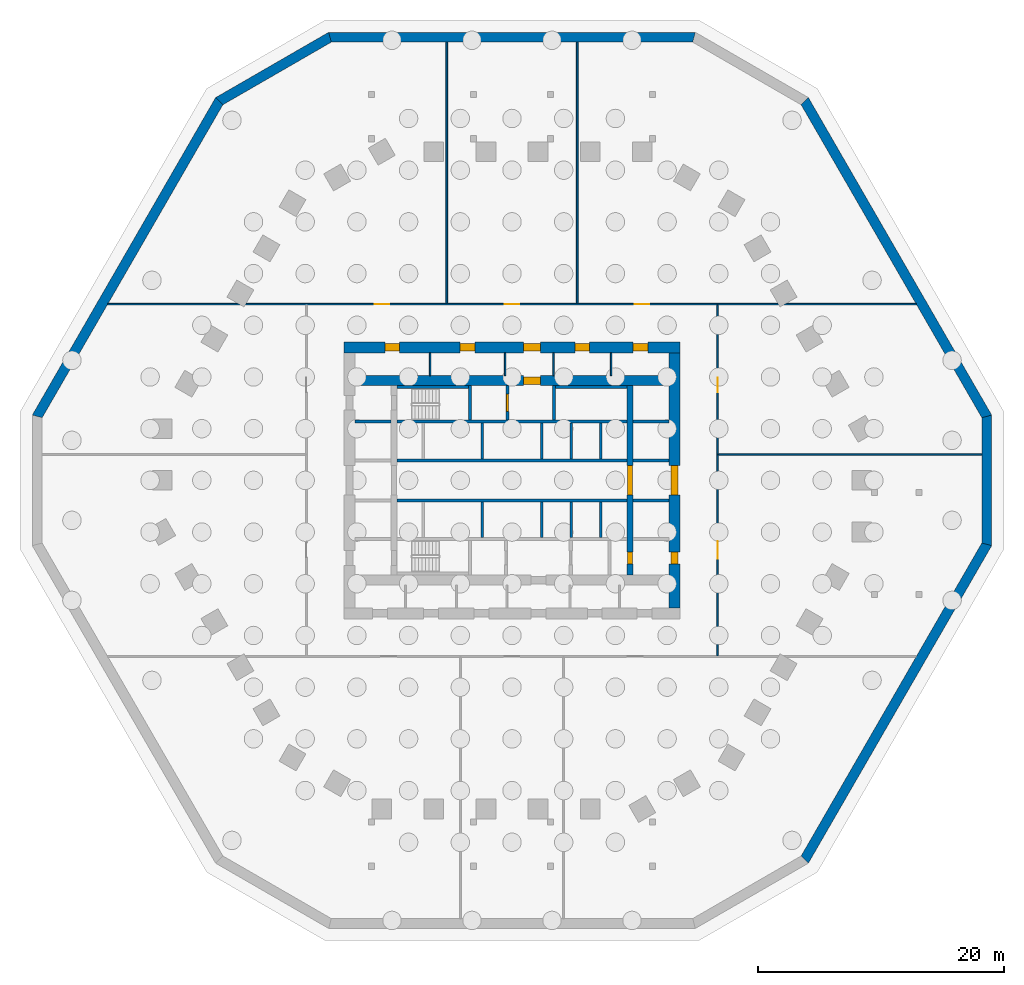
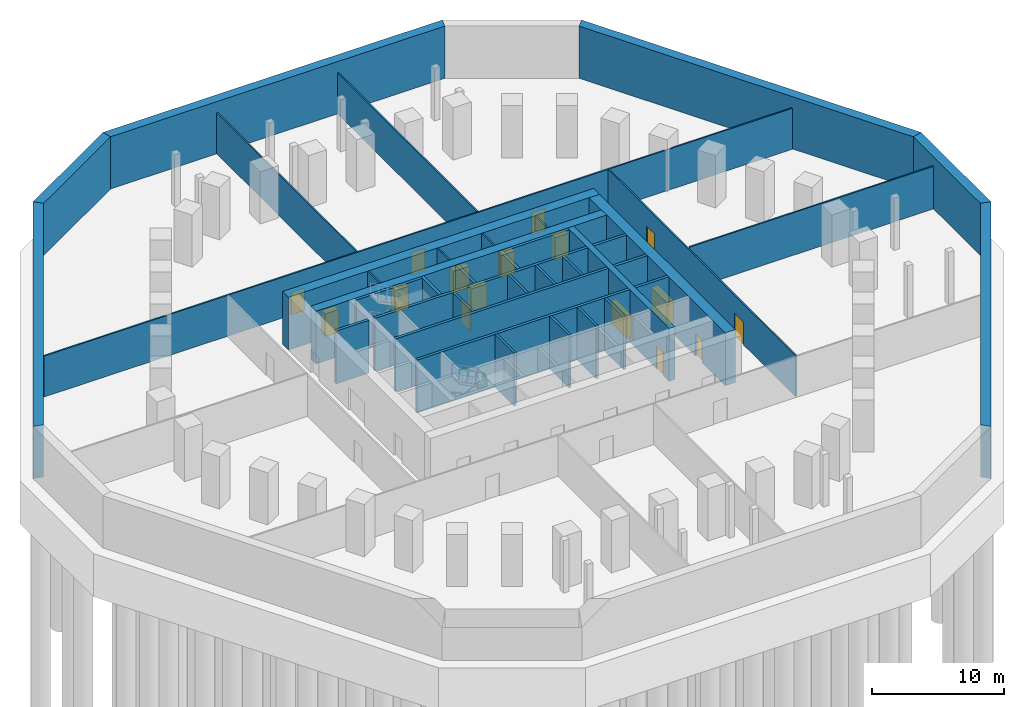
# One storey, part 4 of 6: 39 walls, 16 doors, 16 openings.
"""IFC4 building model written with IfcOpenShell, lengths in metres."""

from ifc_helpers import new_model, si_unit, direction, frame, frame_2d, origin, place, context, subcontext, project, spatial, polyline, rectangle, outline, extrude, material, layer, layer_set, type_object, element, fill, save


model = new_model("IFC4")

# Units and contexts
model_context = context("Model", 3, precision=1e-05, world=origin(), true_north=direction((0.0, 1.0)))
body_context = subcontext(model_context, "Body", "Model", "MODEL_VIEW")
ifc_project = project(units=[si_unit("LENGTHUNIT", "METRE"), si_unit("AREAUNIT", "SQUARE_METRE"), si_unit("VOLUMEUNIT", "CUBIC_METRE"), si_unit("PLANEANGLEUNIT", "RADIAN"), si_unit("MASSUNIT", "GRAM", prefix="KILO")], contexts=[model_context])

# Site, building, storey
site_placement = place(None, origin())
site = spatial("IfcSite", under=ifc_project, at=site_placement, CompositionType="ELEMENT")
building_placement = place(site_placement, origin())
building = spatial("IfcBuilding", under=site, at=building_placement, Name="Frailejon Research Tower", CompositionType="ELEMENT")
storey_placement = place(building_placement, frame((0.0, 0.0, -5.199951171875)))
storey = spatial("IfcBuildingStorey", under=building, at=storey_placement, Name="B1", CompositionType="ELEMENT", Elevation=-5.199951171875)

# Walls
ifc_material_1 = material(Name="Concrete C50/60", Category="concrete")
ifc_layer_1 = layer(ifc_material_1, 0.800048828125)
ifc_layer_set_1 = layer_set([ifc_layer_1], Name="Basement wall 800")
wall_type_1 = type_object("IfcWallType", Name="Basement wall 800", PredefinedType="SOLIDWALL", material=ifc_layer_set_1)
wall_1_placement = place(storey_placement, origin())
element("IfcWall", 1, at=wall_1_placement, inside=storey, type_object=wall_type_1, Name="Basement retaining wall", PredefinedType="SOLIDWALL", context=body_context, shape_type="SweptSolid", body=[
    extrude(outline(polyline([(38.96923828125, -5.30322265625), (38.96923828125, 5.30322265625), (38.169189453125, 5.089111328125), (38.169189453125, -5.089111328125), (38.96923828125, -5.30322265625)])), origin(), (0.0, 0.0, 1.0), 4.849853515625),
])
wall_2_placement = place(storey_placement, origin())
element("IfcWall", 2, at=wall_2_placement, inside=storey, type_object=wall_type_1, Name="Basement retaining wall", PredefinedType="SOLIDWALL", context=body_context, shape_type="SweptSolid", body=[
    extrude(outline(polyline([(38.96923828125, 5.30322265625), (24.077392578125, 31.0966796875), (23.49169921875, 30.510986328125), (38.169189453125, 5.089111328125), (38.96923828125, 5.30322265625)])), origin(), (0.0, 0.0, 1.0), 4.849853515625),
])
wall_3_placement = place(storey_placement, origin())
element("IfcWall", 3, at=wall_3_placement, inside=storey, type_object=wall_type_1, Name="Basement retaining wall", PredefinedType="SOLIDWALL", context=body_context, shape_type="SweptSolid", body=[
    extrude(outline(polyline([(14.891845703125, 36.39990234375), (-14.891845703125, 36.39990234375), (-14.677490234375, 35.60009765625), (14.677490234375, 35.60009765625), (14.891845703125, 36.39990234375)])), origin(), (0.0, 0.0, 1.0), 4.849853515625),
])
wall_4_placement = place(storey_placement, origin())
element("IfcWall", 4, at=wall_4_placement, inside=storey, type_object=wall_type_1, Name="Basement retaining wall", PredefinedType="SOLIDWALL", context=body_context, shape_type="SweptSolid", body=[
    extrude(outline(polyline([(-14.891845703125, 36.39990234375), (-24.077392578125, 31.0966796875), (-23.49169921875, 30.510986328125), (-14.677490234375, 35.60009765625), (-14.891845703125, 36.39990234375)])), origin(), (0.0, 0.0, 1.0), 4.849853515625),
])
wall_5_placement = place(storey_placement, origin())
element("IfcWall", 5, at=wall_5_placement, inside=storey, type_object=wall_type_1, Name="Basement retaining wall", PredefinedType="SOLIDWALL", context=body_context, shape_type="SweptSolid", body=[
    extrude(outline(polyline([(-24.077392578125, 31.0966796875), (-38.96923828125, 5.30322265625), (-38.169189453125, 5.089111328125), (-23.49169921875, 30.510986328125), (-24.077392578125, 31.0966796875)])), origin(), (0.0, 0.0, 1.0), 4.849853515625),
])
wall_6_placement = place(storey_placement, origin())
element("IfcWall", 6, at=wall_6_placement, inside=storey, type_object=wall_type_1, Name="Basement retaining wall", PredefinedType="SOLIDWALL", context=body_context, shape_type="SweptSolid", body=[
    extrude(outline(polyline([(24.077392578125, -31.0966796875), (38.96923828125, -5.30322265625), (38.169189453125, -5.089111328125), (23.49169921875, -30.510986328125), (24.077392578125, -31.0966796875)])), origin(), (0.0, 0.0, 1.0), 4.849853515625),
])
ifc_material_2 = material(Name="Plasterboard on steel studs", Category="steel")
ifc_layer_2 = layer(ifc_material_2, 0.125)
ifc_layer_set_2 = layer_set([ifc_layer_2], Name="Core partition 125")
wall_type_2 = type_object("IfcWallType", Name="Core partition 125", PredefinedType="PARTITIONING", material=ifc_layer_set_2)
for number, where, z_axis, x_axis, name in (
    (7, (-6.65625, 8.5, 0.0), (0.0, 0.0, 1.0), (0.0, 1.0, 0.0), "Core partition"),
    (8, (-0.5625, 8.5, 0.0), (0.0, 0.0, 1.0), (0.0, 1.0, 0.0), "Core partition"),
    (9, (3.362548828125, 8.5, 0.0), (0.0, 0.0, 1.0), (0.0, 1.0, 0.0), "Core partition"),
    (10, (8.05615234375, 8.5, 0.0), (0.0, 0.0, 1.0), (0.0, 1.0, 0.0), "Core partition"),
):
    element("IfcWall", number, at=place(storey_placement, frame(where, z_axis=z_axis, x_axis=x_axis)), inside=storey, type_object=wall_type_2, Name=name, PredefinedType="PARTITIONING", context=body_context, shape_type="SweptSolid", body=[
        extrude(rectangle(XDim=1.85009765625, YDim=0.125, at=frame_2d((0.925048828125, 0.0))), origin(), (0.0, 0.0, 1.0), 4.89990234375),
    ])

# Wall, openings, doors
wall_7_placement = place(storey_placement, frame((-32.843994140625, 14.3125, 0.0), z_axis=(0.0, 0.0, 1.0), x_axis=(1.0, 0.0, 0.0)))
wall_7 = element("IfcWall", 11, at=wall_7_placement, inside=storey, type_object=wall_type_2, Name="Core partition", PredefinedType="PARTITIONING", context=body_context, shape_type="SweptSolid", body=[
    extrude(rectangle(XDim=65.68798828125, YDim=0.125, at=frame_2d((32.843994140625, 0.0))), origin(), (0.0, 0.0, 1.0), 3.800048828125),
])
opening_1_placement = place(wall_7_placement, frame((21.687744140625, 0.0, 0.0)))
opening_1 = element("IfcOpeningElement", 12, at=opening_1_placement, cuts=wall_7, Name="Opening D6", PredefinedType="OPENING", context=body_context, shape_type="SweptSolid", body=[
    extrude(rectangle(XDim=1.199951171875, YDim=2.10009765625, at=frame_2d((0.60009765625, 1.050048828125))), frame((0.0, 0.072509765625, 0.0), z_axis=(0.0, -1.0, 0.0), x_axis=(1.0, 0.0, 0.0)), (0.0, 0.0, 1.0), 0.14501953125),
])
opening_2_placement = place(wall_7_placement, frame((32.243896484375, 0.0, 0.0)))
opening_2 = element("IfcOpeningElement", 13, at=opening_2_placement, cuts=wall_7, Name="Opening D6", PredefinedType="OPENING", context=body_context, shape_type="SweptSolid", body=[
    extrude(rectangle(XDim=1.199951171875, YDim=2.10009765625, at=frame_2d((0.60009765625, 1.050048828125))), frame((0.0, 0.072509765625, 0.0), z_axis=(0.0, -1.0, 0.0), x_axis=(1.0, 0.0, 0.0)), (0.0, 0.0, 1.0), 0.14501953125),
])
opening_3_placement = place(wall_7_placement, frame((42.80029296875, 0.0, 0.0)))
opening_3 = element("IfcOpeningElement", 14, at=opening_3_placement, cuts=wall_7, Name="Opening D6", PredefinedType="OPENING", context=body_context, shape_type="SweptSolid", body=[
    extrude(rectangle(XDim=1.199951171875, YDim=2.10009765625, at=frame_2d((0.60009765625, 1.050048828125))), frame((0.0, 0.072509765625, 0.0), z_axis=(0.0, -1.0, 0.0), x_axis=(1.0, 0.0, 0.0)), (0.0, 0.0, 1.0), 0.14501953125),
])
ifc_material_3 = material(Name="Steel", Category="steel")
door_type_1 = type_object("IfcDoorType", Name="Plant door", OperationType="SINGLE_SWING_LEFT", PredefinedType="DOOR", material=ifc_material_3)
door_1_placement = place(opening_1_placement, origin())
door_1 = element("IfcDoor", 15, at=door_1_placement, inside=storey, type_object=door_type_1, Name="Room door", OperationType="SINGLE_SWING_LEFT", OverallHeight=2.10009765625, OverallWidth=1.199951171875, PredefinedType="DOOR", context=body_context, shape_type="SweptSolid", body=[
    extrude(rectangle(XDim=1.199951171875, YDim=2.10009765625, at=frame_2d((0.60009765625, 1.050048828125))), frame((0.0, 0.012451171875, 0.0), z_axis=(0.0, -1.0, 0.0), x_axis=(1.0, 0.0, 0.0)), (0.0, 0.0, 1.0), 0.02490234375),
])
fill(opening_1, door_1)
door_2_placement = place(opening_2_placement, origin())
door_2 = element("IfcDoor", 16, at=door_2_placement, inside=storey, type_object=door_type_1, Name="Room door", OperationType="SINGLE_SWING_RIGHT", OverallHeight=2.10009765625, OverallWidth=1.199951171875, PredefinedType="DOOR", context=body_context, shape_type="SweptSolid", body=[
    extrude(rectangle(XDim=1.199951171875, YDim=2.10009765625, at=frame_2d((0.60009765625, 1.050048828125))), frame((0.0, 0.012451171875, 0.0), z_axis=(0.0, -1.0, 0.0), x_axis=(1.0, 0.0, 0.0)), (0.0, 0.0, 1.0), 0.02490234375),
])
fill(opening_2, door_2)
door_3_placement = place(opening_3_placement, origin())
door_3 = element("IfcDoor", 17, at=door_3_placement, inside=storey, type_object=door_type_1, Name="Room door", OperationType="SINGLE_SWING_LEFT", OverallHeight=2.10009765625, OverallWidth=1.199951171875, PredefinedType="DOOR", context=body_context, shape_type="SweptSolid", body=[
    extrude(rectangle(XDim=1.199951171875, YDim=2.10009765625, at=frame_2d((0.60009765625, 1.050048828125))), frame((0.0, 0.012451171875, 0.0), z_axis=(0.0, -1.0, 0.0), x_axis=(1.0, 0.0, 0.0)), (0.0, 0.0, 1.0), 0.02490234375),
])
fill(opening_3, door_3)

wall_8_placement = place(storey_placement, frame((16.71240234375, -14.25, 0.0), z_axis=(0.0, 0.0, 1.0), x_axis=(0.0, 1.0, 0.0)))
wall_8 = element("IfcWall", 18, at=wall_8_placement, inside=storey, type_object=wall_type_2, Name="Core partition", PredefinedType="PARTITIONING", context=body_context, shape_type="SweptSolid", body=[
    extrude(rectangle(XDim=28.5, YDim=0.125, at=frame_2d((14.25, 0.0))), origin(), (0.0, 0.0, 1.0), 3.800048828125),
])
opening_4_placement = place(wall_8_placement, frame((7.893798828125, 0.0, 0.0)))
opening_4 = element("IfcOpeningElement", 19, at=opening_4_placement, cuts=wall_8, Name="Opening D9", PredefinedType="OPENING", context=body_context, shape_type="SweptSolid", body=[
    extrude(rectangle(XDim=1.39990234375, YDim=2.10009765625, at=frame_2d((0.699951171875, 1.050048828125))), frame((0.0, 0.072509765625, 0.0), z_axis=(0.0, -1.0, 0.0), x_axis=(1.0, 0.0, 0.0)), (0.0, 0.0, 1.0), 0.14501953125),
])
opening_5_placement = place(wall_8_placement, frame((21.40625, 0.0, 0.0)))
opening_5 = element("IfcOpeningElement", 20, at=opening_5_placement, cuts=wall_8, Name="Opening D6", PredefinedType="OPENING", context=body_context, shape_type="SweptSolid", body=[
    extrude(rectangle(XDim=1.199951171875, YDim=2.10009765625, at=frame_2d((0.60009765625, 1.050048828125))), frame((0.0, 0.072509765625, 0.0), z_axis=(0.0, -1.0, 0.0), x_axis=(1.0, 0.0, 0.0)), (0.0, 0.0, 1.0), 0.14501953125),
])
ifc_material_4 = material(Name="Steel", Category="steel")
door_type_2 = type_object("IfcDoorType", Name="Goods lobby door", OperationType="DOUBLE_DOOR_SINGLE_SWING", PredefinedType="DOOR", material=ifc_material_4)
door_4_placement = place(opening_4_placement, origin())
door_4 = element("IfcDoor", 21, at=door_4_placement, inside=storey, type_object=door_type_2, Name="Room door", OperationType="DOUBLE_DOOR_SINGLE_SWING", OverallHeight=2.10009765625, OverallWidth=1.39990234375, PredefinedType="DOOR", context=body_context, shape_type="SweptSolid", body=[
    extrude(rectangle(XDim=1.39990234375, YDim=2.10009765625, at=frame_2d((0.699951171875, 1.050048828125))), frame((0.0, 0.012451171875, 0.0), z_axis=(0.0, -1.0, 0.0), x_axis=(1.0, 0.0, 0.0)), (0.0, 0.0, 1.0), 0.02490234375),
])
fill(opening_4, door_4)
door_5_placement = place(opening_5_placement, origin())
door_5 = element("IfcDoor", 22, at=door_5_placement, inside=storey, type_object=door_type_1, Name="Room door", OperationType="SINGLE_SWING_RIGHT", OverallHeight=2.10009765625, OverallWidth=1.199951171875, PredefinedType="DOOR", context=body_context, shape_type="SweptSolid", body=[
    extrude(rectangle(XDim=1.199951171875, YDim=2.10009765625, at=frame_2d((0.60009765625, 1.050048828125))), frame((0.0, 0.012451171875, 0.0), z_axis=(0.0, -1.0, 0.0), x_axis=(1.0, 0.0, 0.0)), (0.0, 0.0, 1.0), 0.02490234375),
])
fill(opening_5, door_5)

# Walls
for number, where, z_axis, x_axis, name in (
    (23, (-5.300048828125, 14.375, 0.0), (0.0, 0.0, 1.0), (0.0, 1.0, 0.0), "Core partition"),
    (24, (5.300048828125, 14.375, 0.0), (0.0, 0.0, 1.0), (0.0, 1.0, 0.0), "Core partition"),
):
    element("IfcWall", number, at=place(storey_placement, frame(where, z_axis=z_axis, x_axis=x_axis)), inside=storey, type_object=wall_type_2, Name=name, PredefinedType="PARTITIONING", context=body_context, shape_type="SweptSolid", body=[
        extrude(rectangle(XDim=21.22509765625, YDim=0.125, at=frame_2d((10.612548828125, 0.0))), origin(), (0.0, 0.0, 1.0), 3.800048828125),
    ])
wall_9_placement = place(storey_placement, frame((16.77490234375, 2.10009765625, 0.0), z_axis=(0.0, 0.0, 1.0), x_axis=(1.0, 0.0, 0.0)))
element("IfcWall", 25, at=wall_9_placement, inside=storey, type_object=wall_type_2, Name="Core partition", PredefinedType="PARTITIONING", context=body_context, shape_type="SweptSolid", body=[
    extrude(rectangle(XDim=21.394287109375, YDim=0.125, at=frame_2d((10.697265625, 0.0))), origin(), (0.0, 0.0, 1.0), 3.949951171875),
])

# Wall, openings, doors
ifc_material_5 = material(Name="Concrete C70/85", Category="concrete")
ifc_layer_3 = layer(ifc_material_5, 0.5)
ifc_layer_set_3 = layer_set([ifc_layer_3], Name="Core shear wall 500 C70/85")
wall_type_3 = type_object("IfcWallType", Name="Core shear wall 500 C70/85", PredefinedType="SHEAR", material=ifc_layer_set_3)
wall_10_placement = place(storey_placement, frame((9.60009765625, -7.699951171875, 0.0), z_axis=(0.0, 0.0, 1.0), x_axis=(0.0, 1.0, 0.0)))
wall_10 = element("IfcWall", 26, at=wall_10_placement, inside=storey, type_object=wall_type_3, Name="Core shear wall", PredefinedType="SHEAR", context=body_context, shape_type="SweptSolid", body=[
    extrude(rectangle(XDim=15.39990234375, YDim=0.5, at=frame_2d((7.699951171875, 0.0))), origin(), (0.0, 0.0, 1.0), 4.89990234375),
])
opening_6_placement = place(wall_10_placement, frame((6.5, 0.0, 0.0)))
opening_6 = element("IfcOpeningElement", 27, at=opening_6_placement, cuts=wall_10, Name="Opening D2", PredefinedType="OPENING", context=body_context, shape_type="SweptSolid", body=[
    extrude(rectangle(XDim=2.39990234375, YDim=2.10009765625, at=frame_2d((1.199951171875, 1.050048828125))), frame((0.0, 0.260009765625, 0.0), z_axis=(0.0, -1.0, 0.0), x_axis=(1.0, 0.0, 0.0)), (0.0, 0.0, 1.0), 0.52001953125),
])
opening_7_placement = place(wall_10_placement, frame((0.89990234375, 0.0, 0.0)))
opening_7 = element("IfcOpeningElement", 28, at=opening_7_placement, cuts=wall_10, Name="Opening D4", PredefinedType="OPENING", context=body_context, shape_type="SweptSolid", body=[
    extrude(rectangle(XDim=1.0, YDim=2.10009765625, at=frame_2d((0.5, 1.050048828125))), frame((0.0, 0.260009765625, 0.0), z_axis=(0.0, -1.0, 0.0), x_axis=(1.0, 0.0, 0.0)), (0.0, 0.0, 1.0), 0.52001953125),
])
ifc_material_6 = material(Name="Steel", Category="steel")
door_type_3 = type_object("IfcDoorType", Name="Lobby double door", OperationType="DOUBLE_DOOR_SINGLE_SWING", PredefinedType="DOOR", material=ifc_material_6)
door_6_placement = place(opening_6_placement, origin())
door_6 = element("IfcDoor", 29, at=door_6_placement, inside=storey, type_object=door_type_3, Name="Lobby door", OperationType="DOUBLE_DOOR_SINGLE_SWING", OverallHeight=2.10009765625, OverallWidth=2.39990234375, PredefinedType="DOOR", context=body_context, shape_type="SweptSolid", body=[
    extrude(rectangle(XDim=2.39990234375, YDim=2.10009765625, at=frame_2d((1.199951171875, 1.050048828125))), frame((0.0, 0.199951171875, 0.0), z_axis=(0.0, -1.0, 0.0), x_axis=(1.0, 0.0, 0.0)), (0.0, 0.0, 1.0), 0.39990234375),
])
fill(opening_6, door_6)
ifc_material_7 = material(Name="Steel", Category="steel")
door_type_4 = type_object("IfcDoorType", Name="Service door", OperationType="SINGLE_SWING_LEFT", PredefinedType="DOOR", material=ifc_material_7)
door_7_placement = place(opening_7_placement, origin())
door_7 = element("IfcDoor", 30, at=door_7_placement, inside=storey, type_object=door_type_4, Name="Riser door", OperationType="SINGLE_SWING_RIGHT", OverallHeight=2.10009765625, OverallWidth=1.0, PredefinedType="DOOR", context=body_context, shape_type="SweptSolid", body=[
    extrude(rectangle(XDim=1.0, YDim=2.10009765625, at=frame_2d((0.5, 1.050048828125))), frame((0.0, 0.199951171875, 0.0), z_axis=(0.0, -1.0, 0.0), x_axis=(1.0, 0.0, 0.0)), (0.0, 0.0, 1.0), 0.39990234375),
])
fill(opening_7, door_7)

# Wall, opening, door
ifc_material_8 = material(Name="Concrete C70/85", Category="concrete")
ifc_layer_4 = layer(ifc_material_8, 0.800048828125)
ifc_layer_set_4 = layer_set([ifc_layer_4], Name="Core shear wall 800 C70/85")
wall_type_4 = type_object("IfcWallType", Name="Core shear wall 800 C70/85", PredefinedType="SHEAR", material=ifc_layer_set_4)
wall_11_placement = place(storey_placement, frame((-12.75, 8.10009765625, 0.0), z_axis=(0.0, 0.0, 1.0), x_axis=(1.0, 0.0, 0.0)))
wall_11 = element("IfcWall", 31, at=wall_11_placement, inside=storey, type_object=wall_type_4, Name="Core shear wall", PredefinedType="SHEAR", context=body_context, shape_type="SweptSolid", body=[
    extrude(rectangle(XDim=25.5, YDim=0.800048828125, at=frame_2d((12.75, 0.0))), origin(), (0.0, 0.0, 1.0), 4.89990234375),
])
opening_8_placement = place(wall_11_placement, frame((13.675048828125, 0.0, 0.0)))
opening_8 = element("IfcOpeningElement", 32, at=opening_8_placement, cuts=wall_11, Name="Opening D9", PredefinedType="OPENING", context=body_context, shape_type="SweptSolid", body=[
    extrude(rectangle(XDim=1.39990234375, YDim=2.10009765625, at=frame_2d((0.699951171875, 1.050048828125))), frame((0.0, 0.409912109375, 0.0), z_axis=(0.0, -1.0, 0.0), x_axis=(1.0, 0.0, 0.0)), (0.0, 0.0, 1.0), 0.820068359375),
])
door_8_placement = place(opening_8_placement, origin())
door_8 = element("IfcDoor", 33, at=door_8_placement, inside=storey, type_object=door_type_2, Name="Goods lobby door", OperationType="DOUBLE_DOOR_SINGLE_SWING", OverallHeight=2.10009765625, OverallWidth=1.39990234375, PredefinedType="DOOR", context=body_context, shape_type="SweptSolid", body=[
    extrude(rectangle(XDim=1.39990234375, YDim=2.10009765625, at=frame_2d((0.699951171875, 1.050048828125))), frame((0.0, 0.300048828125, 0.0), z_axis=(0.0, -1.0, 0.0), x_axis=(1.0, 0.0, 0.0)), (0.0, 0.0, 1.0), 0.60009765625),
])
fill(opening_8, door_8)

# Wall, openings, doors
ifc_material_9 = material(Name="Concrete C70/85", Category="concrete")
ifc_layer_5 = layer(ifc_material_9, 0.89990234375)
ifc_layer_set_5 = layer_set([ifc_layer_5], Name="Core shear wall 900 C70/85")
wall_type_5 = type_object("IfcWallType", Name="Core shear wall 900 C70/85", PredefinedType="SHEAR", material=ifc_layer_set_5)
wall_12_placement = place(storey_placement, frame((-13.64990234375, 10.800048828125, 0.0), z_axis=(0.0, 0.0, 1.0), x_axis=(1.0, 0.0, 0.0)))
wall_12 = element("IfcWall", 34, at=wall_12_placement, inside=storey, type_object=wall_type_5, Name="Core shear wall", PredefinedType="SHEAR", context=body_context, shape_type="SweptSolid", body=[
    extrude(rectangle(XDim=27.2998046875, YDim=0.89990234375, at=frame_2d((13.64990234375, 0.0))), origin(), (0.0, 0.0, 1.0), 4.89990234375),
])
opening_9_placement = place(wall_12_placement, frame((3.315673828125, 0.0, 0.0)))
opening_9 = element("IfcOpeningElement", 35, at=opening_9_placement, cuts=wall_12, Name="Opening D6", PredefinedType="OPENING", context=body_context, shape_type="SweptSolid", body=[
    extrude(rectangle(XDim=1.199951171875, YDim=2.10009765625, at=frame_2d((0.60009765625, 1.050048828125))), frame((0.0, 0.4599609375, 0.0), z_axis=(0.0, -1.0, 0.0), x_axis=(1.0, 0.0, 0.0)), (0.0, 0.0, 1.0), 0.919921875),
])
opening_10_placement = place(wall_12_placement, frame((9.440673828125, 0.0, 0.0)))
opening_10 = element("IfcOpeningElement", 36, at=opening_10_placement, cuts=wall_12, Name="Opening D6", PredefinedType="OPENING", context=body_context, shape_type="SweptSolid", body=[
    extrude(rectangle(XDim=1.199951171875, YDim=2.10009765625, at=frame_2d((0.60009765625, 1.050048828125))), frame((0.0, 0.4599609375, 0.0), z_axis=(0.0, -1.0, 0.0), x_axis=(1.0, 0.0, 0.0)), (0.0, 0.0, 1.0), 0.919921875),
])
opening_11_placement = place(wall_12_placement, frame((18.759521484375, 0.0, 0.0)))
opening_11 = element("IfcOpeningElement", 37, at=opening_11_placement, cuts=wall_12, Name="Opening D6", PredefinedType="OPENING", context=body_context, shape_type="SweptSolid", body=[
    extrude(rectangle(XDim=1.199951171875, YDim=2.10009765625, at=frame_2d((0.60009765625, 1.050048828125))), frame((0.0, 0.4599609375, 0.0), z_axis=(0.0, -1.0, 0.0), x_axis=(1.0, 0.0, 0.0)), (0.0, 0.0, 1.0), 0.919921875),
])
opening_12_placement = place(wall_12_placement, frame((23.484375, 0.0, 0.0)))
opening_12 = element("IfcOpeningElement", 38, at=opening_12_placement, cuts=wall_12, Name="Opening D6", PredefinedType="OPENING", context=body_context, shape_type="SweptSolid", body=[
    extrude(rectangle(XDim=1.199951171875, YDim=2.10009765625, at=frame_2d((0.60009765625, 1.050048828125))), frame((0.0, 0.4599609375, 0.0), z_axis=(0.0, -1.0, 0.0), x_axis=(1.0, 0.0, 0.0)), (0.0, 0.0, 1.0), 0.919921875),
])
opening_13_placement = place(wall_12_placement, frame((14.574951171875, 0.0, 0.0)))
opening_13 = element("IfcOpeningElement", 39, at=opening_13_placement, cuts=wall_12, Name="Opening D9", PredefinedType="OPENING", context=body_context, shape_type="SweptSolid", body=[
    extrude(rectangle(XDim=1.39990234375, YDim=2.10009765625, at=frame_2d((0.699951171875, 1.050048828125))), frame((0.0, 0.4599609375, 0.0), z_axis=(0.0, -1.0, 0.0), x_axis=(1.0, 0.0, 0.0)), (0.0, 0.0, 1.0), 0.919921875),
])
door_9_placement = place(opening_13_placement, origin())
door_9 = element("IfcDoor", 40, at=door_9_placement, inside=storey, type_object=door_type_2, Name="Passage door", OperationType="DOUBLE_DOOR_SINGLE_SWING", OverallHeight=2.10009765625, OverallWidth=1.39990234375, PredefinedType="DOOR", context=body_context, shape_type="SweptSolid", body=[
    extrude(rectangle(XDim=1.39990234375, YDim=2.10009765625, at=frame_2d((0.699951171875, 1.050048828125))), frame((0.0, 0.300048828125, 0.0), z_axis=(0.0, -1.0, 0.0), x_axis=(1.0, 0.0, 0.0)), (0.0, 0.0, 1.0), 0.60009765625),
])
fill(opening_13, door_9)
door_10_placement = place(opening_9_placement, origin())
door_10 = element("IfcDoor", 41, at=door_10_placement, inside=storey, type_object=door_type_1, Name="Room door", OperationType="SINGLE_SWING_RIGHT", OverallHeight=2.10009765625, OverallWidth=1.199951171875, PredefinedType="DOOR", context=body_context, shape_type="SweptSolid", body=[
    extrude(rectangle(XDim=1.199951171875, YDim=2.10009765625, at=frame_2d((0.60009765625, 1.050048828125))), frame((0.0, 0.300048828125, 0.0), z_axis=(0.0, -1.0, 0.0), x_axis=(1.0, 0.0, 0.0)), (0.0, 0.0, 1.0), 0.60009765625),
])
fill(opening_9, door_10)
door_11_placement = place(opening_10_placement, origin())
door_11 = element("IfcDoor", 42, at=door_11_placement, inside=storey, type_object=door_type_1, Name="Room door", OperationType="SINGLE_SWING_LEFT", OverallHeight=2.10009765625, OverallWidth=1.199951171875, PredefinedType="DOOR", context=body_context, shape_type="SweptSolid", body=[
    extrude(rectangle(XDim=1.199951171875, YDim=2.10009765625, at=frame_2d((0.60009765625, 1.050048828125))), frame((0.0, 0.300048828125, 0.0), z_axis=(0.0, -1.0, 0.0), x_axis=(1.0, 0.0, 0.0)), (0.0, 0.0, 1.0), 0.60009765625),
])
fill(opening_10, door_11)
door_12_placement = place(opening_11_placement, origin())
door_12 = element("IfcDoor", 43, at=door_12_placement, inside=storey, type_object=door_type_1, Name="Room door", OperationType="SINGLE_SWING_RIGHT", OverallHeight=2.10009765625, OverallWidth=1.199951171875, PredefinedType="DOOR", context=body_context, shape_type="SweptSolid", body=[
    extrude(rectangle(XDim=1.199951171875, YDim=2.10009765625, at=frame_2d((0.60009765625, 1.050048828125))), frame((0.0, 0.300048828125, 0.0), z_axis=(0.0, -1.0, 0.0), x_axis=(1.0, 0.0, 0.0)), (0.0, 0.0, 1.0), 0.60009765625),
])
fill(opening_11, door_12)
door_13_placement = place(opening_12_placement, origin())
door_13 = element("IfcDoor", 44, at=door_13_placement, inside=storey, type_object=door_type_1, Name="Room door", OperationType="SINGLE_SWING_LEFT", OverallHeight=2.10009765625, OverallWidth=1.199951171875, PredefinedType="DOOR", context=body_context, shape_type="SweptSolid", body=[
    extrude(rectangle(XDim=1.199951171875, YDim=2.10009765625, at=frame_2d((0.60009765625, 1.050048828125))), frame((0.0, 0.300048828125, 0.0), z_axis=(0.0, -1.0, 0.0), x_axis=(1.0, 0.0, 0.0)), (0.0, 0.0, 1.0), 0.60009765625),
])
fill(opening_12, door_13)

wall_13_placement = place(storey_placement, frame((13.199951171875, -10.35009765625, 0.0), z_axis=(0.0, 0.0, 1.0), x_axis=(0.0, 1.0, 0.0)))
wall_13 = element("IfcWall", 45, at=wall_13_placement, inside=storey, type_object=wall_type_5, Name="Core shear wall", PredefinedType="SHEAR", context=body_context, shape_type="SweptSolid", body=[
    extrude(rectangle(XDim=20.7001953125, YDim=0.89990234375, at=frame_2d((10.35009765625, 0.0))), origin(), (0.0, 0.0, 1.0), 4.89990234375),
])
opening_14_placement = place(wall_13_placement, frame((9.14990234375, 0.0, 0.0)))
opening_14 = element("IfcOpeningElement", 46, at=opening_14_placement, cuts=wall_13, Name="Opening D2", PredefinedType="OPENING", context=body_context, shape_type="SweptSolid", body=[
    extrude(rectangle(XDim=2.39990234375, YDim=2.10009765625, at=frame_2d((1.199951171875, 1.050048828125))), frame((0.0, 0.4599609375, 0.0), z_axis=(0.0, -1.0, 0.0), x_axis=(1.0, 0.0, 0.0)), (0.0, 0.0, 1.0), 0.919921875),
])
opening_15_placement = place(wall_13_placement, frame((3.550048828125, 0.0, 0.0)))
opening_15 = element("IfcOpeningElement", 47, at=opening_15_placement, cuts=wall_13, Name="Opening D4", PredefinedType="OPENING", context=body_context, shape_type="SweptSolid", body=[
    extrude(rectangle(XDim=1.0, YDim=2.10009765625, at=frame_2d((0.5, 1.050048828125))), frame((0.0, 0.4599609375, 0.0), z_axis=(0.0, -1.0, 0.0), x_axis=(1.0, 0.0, 0.0)), (0.0, 0.0, 1.0), 0.919921875),
])
door_14_placement = place(opening_14_placement, origin())
door_14 = element("IfcDoor", 48, at=door_14_placement, inside=storey, type_object=door_type_3, Name="Lobby door", OperationType="DOUBLE_DOOR_SINGLE_SWING", OverallHeight=2.10009765625, OverallWidth=2.39990234375, PredefinedType="DOOR", context=body_context, shape_type="SweptSolid", body=[
    extrude(rectangle(XDim=2.39990234375, YDim=2.10009765625, at=frame_2d((1.199951171875, 1.050048828125))), frame((0.0, 0.300048828125, 0.0), z_axis=(0.0, -1.0, 0.0), x_axis=(1.0, 0.0, 0.0)), (0.0, 0.0, 1.0), 0.60009765625),
])
fill(opening_14, door_14)
door_15_placement = place(opening_15_placement, origin())
door_15 = element("IfcDoor", 49, at=door_15_placement, inside=storey, type_object=door_type_4, Name="Store door", OperationType="SINGLE_SWING_LEFT", OverallHeight=2.10009765625, OverallWidth=1.0, PredefinedType="DOOR", context=body_context, shape_type="SweptSolid", body=[
    extrude(rectangle(XDim=1.0, YDim=2.10009765625, at=frame_2d((0.5, 1.050048828125))), frame((0.0, 0.300048828125, 0.0), z_axis=(0.0, -1.0, 0.0), x_axis=(1.0, 0.0, 0.0)), (0.0, 0.0, 1.0), 0.60009765625),
])
fill(opening_15, door_15)

# Walls
ifc_material_10 = material(Name="Concrete C70/85", Category="concrete")
ifc_layer_6 = layer(ifc_material_10, 0.199951171875)
ifc_layer_set_6 = layer_set([ifc_layer_6], Name="Shaft wall 200 C70/85")
wall_type_6 = type_object("IfcWallType", Name="Shaft wall 200 C70/85", PredefinedType="SOLIDWALL", material=ifc_layer_set_6)
for number, where, z_axis, x_axis, name in (
    (50, (-2.39990234375, 1.75, 0.0), (0.0, 0.0, 1.0), (0.0, 1.0, 0.0), "Shaft wall"),
    (51, (2.39990234375, 1.75, 0.0), (0.0, 0.0, 1.0), (0.0, 1.0, 0.0), "Shaft wall"),
    (52, (4.800048828125, 1.75, 0.0), (0.0, 0.0, 1.0), (0.0, 1.0, 0.0), "Shaft wall"),
    (53, (7.199951171875, 1.75, 0.0), (0.0, 0.0, 1.0), (0.0, 1.0, 0.0), "Shaft wall"),
    (54, (-2.39990234375, -4.64990234375, 0.0), (0.0, 0.0, 1.0), (0.0, 1.0, 0.0), "Shaft wall"),
    (55, (2.39990234375, -4.64990234375, 0.0), (0.0, 0.0, 1.0), (0.0, 1.0, 0.0), "Shaft wall"),
    (56, (4.800048828125, -4.64990234375, 0.0), (0.0, 0.0, 1.0), (0.0, 1.0, 0.0), "Shaft wall"),
    (57, (7.199951171875, -4.64990234375, 0.0), (0.0, 0.0, 1.0), (0.0, 1.0, 0.0), "Shaft wall"),
):
    element("IfcWall", number, at=place(storey_placement, frame(where, z_axis=z_axis, x_axis=x_axis)), inside=storey, type_object=wall_type_6, Name=name, PredefinedType="SOLIDWALL", context=body_context, shape_type="SweptSolid", body=[
        extrude(rectangle(XDim=2.89990234375, YDim=0.199951171875, at=frame_2d((1.449951171875, 0.0))), origin(), (0.0, 0.0, 1.0), 4.89990234375),
    ])
ifc_material_11 = material(Name="Concrete C70/85", Category="concrete")
ifc_layer_7 = layer(ifc_material_11, 0.25)
ifc_layer_set_7 = layer_set([ifc_layer_7], Name="Shaft wall 250 C70/85")
wall_type_7 = type_object("IfcWallType", Name="Shaft wall 250 C70/85", PredefinedType="SOLIDWALL", material=ifc_layer_set_7)
wall_14_placement = place(storey_placement, frame((-9.35009765625, 1.625, 0.0), z_axis=(0.0, 0.0, 1.0), x_axis=(1.0, 0.0, 0.0)))
element("IfcWall", 58, at=wall_14_placement, inside=storey, type_object=wall_type_7, Name="Shaft wall", PredefinedType="SOLIDWALL", context=body_context, shape_type="SweptSolid", body=[
    extrude(rectangle(XDim=18.7001953125, YDim=0.25, at=frame_2d((9.35009765625, 0.0))), origin(), (0.0, 0.0, 1.0), 4.89990234375),
])
for number, where, z_axis, x_axis, name in (
    (59, (9.85009765625, 1.625, 0.0), (0.0, 0.0, 1.0), (1.0, 0.0, 0.0), "Shaft wall"),
    (60, (-12.75, 4.77490234375, 0.0), (0.0, 0.0, 1.0), (1.0, 0.0, 0.0), "Shaft wall"),
):
    element("IfcWall", number, at=place(storey_placement, frame(where, z_axis=z_axis, x_axis=x_axis)), inside=storey, type_object=wall_type_7, Name=name, PredefinedType="SOLIDWALL", context=body_context, shape_type="SweptSolid", body=[
        extrude(rectangle(XDim=2.89990234375, YDim=0.25, at=frame_2d((1.449951171875, 0.0))), origin(), (0.0, 0.0, 1.0), 4.89990234375),
    ])
wall_15_placement = place(storey_placement, frame((-9.35009765625, 4.77490234375, 0.0), z_axis=(0.0, 0.0, 1.0), x_axis=(1.0, 0.0, 0.0)))
element("IfcWall", 61, at=wall_15_placement, inside=storey, type_object=wall_type_7, Name="Shaft wall", PredefinedType="SOLIDWALL", context=body_context, shape_type="SweptSolid", body=[
    extrude(rectangle(XDim=18.7001953125, YDim=0.25, at=frame_2d((9.35009765625, 0.0))), origin(), (0.0, 0.0, 1.0), 4.89990234375),
])
wall_16_placement = place(storey_placement, frame((9.85009765625, 4.77490234375, 0.0), z_axis=(0.0, 0.0, 1.0), x_axis=(1.0, 0.0, 0.0)))
element("IfcWall", 62, at=wall_16_placement, inside=storey, type_object=wall_type_7, Name="Shaft wall", PredefinedType="SOLIDWALL", context=body_context, shape_type="SweptSolid", body=[
    extrude(rectangle(XDim=2.89990234375, YDim=0.25, at=frame_2d((1.449951171875, 0.0))), origin(), (0.0, 0.0, 1.0), 4.89990234375),
])
wall_17_placement = place(storey_placement, frame((-9.35009765625, -1.625, 0.0), z_axis=(0.0, 0.0, 1.0), x_axis=(1.0, 0.0, 0.0)))
element("IfcWall", 63, at=wall_17_placement, inside=storey, type_object=wall_type_7, Name="Shaft wall", PredefinedType="SOLIDWALL", context=body_context, shape_type="SweptSolid", body=[
    extrude(rectangle(XDim=18.7001953125, YDim=0.25, at=frame_2d((9.35009765625, 0.0))), origin(), (0.0, 0.0, 1.0), 4.89990234375),
])
wall_18_placement = place(storey_placement, frame((9.85009765625, -1.625, 0.0), z_axis=(0.0, 0.0, 1.0), x_axis=(1.0, 0.0, 0.0)))
element("IfcWall", 64, at=wall_18_placement, inside=storey, type_object=wall_type_7, Name="Shaft wall", PredefinedType="SOLIDWALL", context=body_context, shape_type="SweptSolid", body=[
    extrude(rectangle(XDim=2.89990234375, YDim=0.25, at=frame_2d((1.449951171875, 0.0))), origin(), (0.0, 0.0, 1.0), 4.89990234375),
])
for number, where, z_axis, x_axis, name in (
    (65, (-9.35009765625, 7.574951171875, 0.0), (0.0, 0.0, 1.0), (1.0, 0.0, 0.0), "Shaft wall"),
    (66, (3.550048828125, 7.574951171875, 0.0), (0.0, 0.0, 1.0), (1.0, 0.0, 0.0), "Shaft wall"),
):
    element("IfcWall", number, at=place(storey_placement, frame(where, z_axis=z_axis, x_axis=x_axis)), inside=storey, type_object=wall_type_7, Name=name, PredefinedType="SOLIDWALL", context=body_context, shape_type="SweptSolid", body=[
        extrude(rectangle(XDim=5.800048828125, YDim=0.25, at=frame_2d((2.89990234375, 0.0))), origin(), (0.0, 0.0, 1.0), 4.89990234375),
    ])
wall_19_placement = place(storey_placement, frame((-3.425048828125, 4.89990234375, 0.0), z_axis=(0.0, 0.0, 1.0), x_axis=(0.0, 1.0, 0.0)))
element("IfcWall", 67, at=wall_19_placement, inside=storey, type_object=wall_type_7, Name="Shaft wall", PredefinedType="SOLIDWALL", context=body_context, shape_type="SweptSolid", body=[
    extrude(rectangle(XDim=2.800048828125, YDim=0.25, at=frame_2d((1.39990234375, 0.0))), origin(), (0.0, 0.0, 1.0), 4.89990234375),
])

# Wall, opening, door
wall_20_placement = place(storey_placement, frame((-0.375, 4.89990234375, 0.0), z_axis=(0.0, 0.0, 1.0), x_axis=(0.0, 1.0, 0.0)))
wall_20 = element("IfcWall", 68, at=wall_20_placement, inside=storey, type_object=wall_type_7, Name="Shaft wall", PredefinedType="SOLIDWALL", context=body_context, shape_type="SweptSolid", body=[
    extrude(rectangle(XDim=2.800048828125, YDim=0.25, at=frame_2d((1.39990234375, 0.0))), origin(), (0.0, 0.0, 1.0), 4.89990234375),
])
opening_16_placement = place(wall_20_placement, frame((0.699951171875, 0.0, 0.0)))
opening_16 = element("IfcOpeningElement", 69, at=opening_16_placement, cuts=wall_20, Name="Opening LD2", PredefinedType="OPENING", context=body_context, shape_type="SweptSolid", body=[
    extrude(rectangle(XDim=1.39990234375, YDim=2.10009765625, at=frame_2d((0.699951171875, 1.050048828125))), frame((0.0, 0.135009765625, 0.0), z_axis=(0.0, -1.0, 0.0), x_axis=(1.0, 0.0, 0.0)), (0.0, 0.0, 1.0), 0.27001953125),
])
ifc_material_12 = material(Name="Stainless steel", Category="steel")
door_type_5 = type_object("IfcDoorType", Name="Goods landing door", OperationType="DOUBLE_DOOR_SLIDING", PredefinedType="DOOR", material=ifc_material_12)
door_16_placement = place(opening_16_placement, origin())
door_16 = element("IfcDoor", 70, at=door_16_placement, inside=storey, type_object=door_type_5, Name="Lift landing door", OperationType="DOUBLE_DOOR_SLIDING", OverallHeight=2.10009765625, OverallWidth=1.39990234375, PredefinedType="DOOR", context=body_context, shape_type="SweptSolid", body=[
    extrude(rectangle(XDim=1.39990234375, YDim=2.10009765625, at=frame_2d((0.699951171875, 1.050048828125))), frame((0.0, 0.074951171875, 0.0), z_axis=(0.0, -1.0, 0.0), x_axis=(1.0, 0.0, 0.0)), (0.0, 0.0, 1.0), 0.14990234375),
])
fill(opening_16, door_16)

# Wall
wall_21_placement = place(storey_placement, frame((3.425048828125, 4.89990234375, 0.0), z_axis=(0.0, 0.0, 1.0), x_axis=(0.0, 1.0, 0.0)))
element("IfcWall", 71, at=wall_21_placement, inside=storey, type_object=wall_type_7, Name="Shaft wall", PredefinedType="SOLIDWALL", context=body_context, shape_type="SweptSolid", body=[
    extrude(rectangle(XDim=2.800048828125, YDim=0.25, at=frame_2d((1.39990234375, 0.0))), origin(), (0.0, 0.0, 1.0), 4.89990234375),
])

save(model, "model.ifc")
